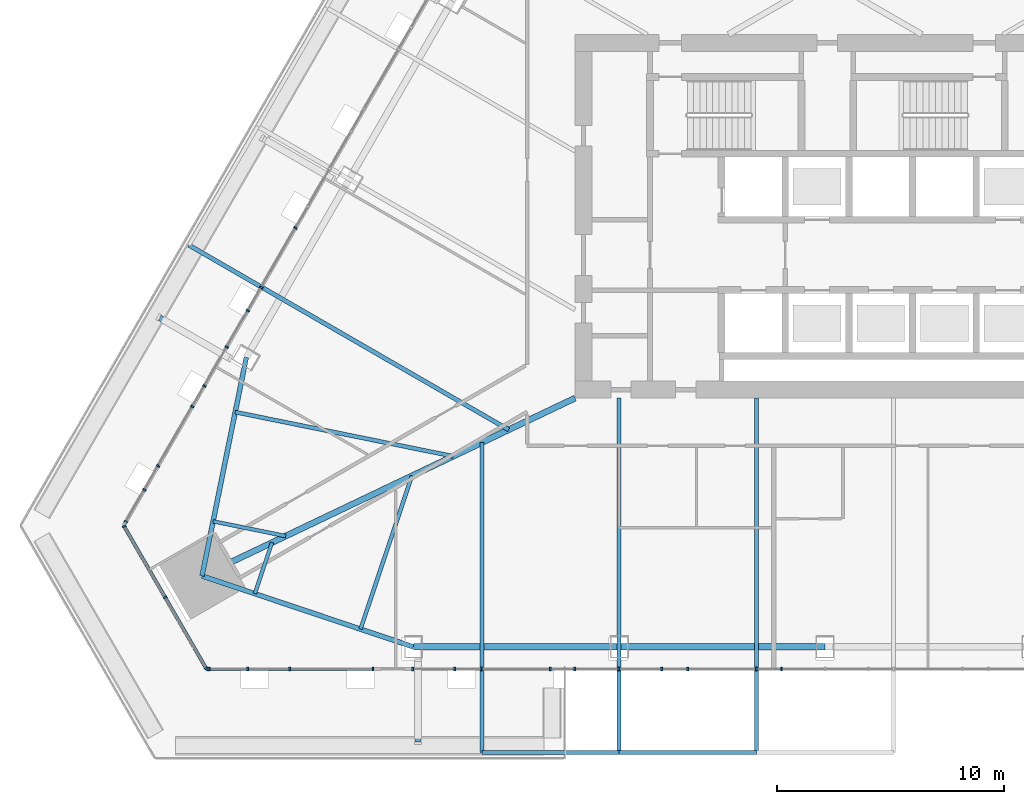
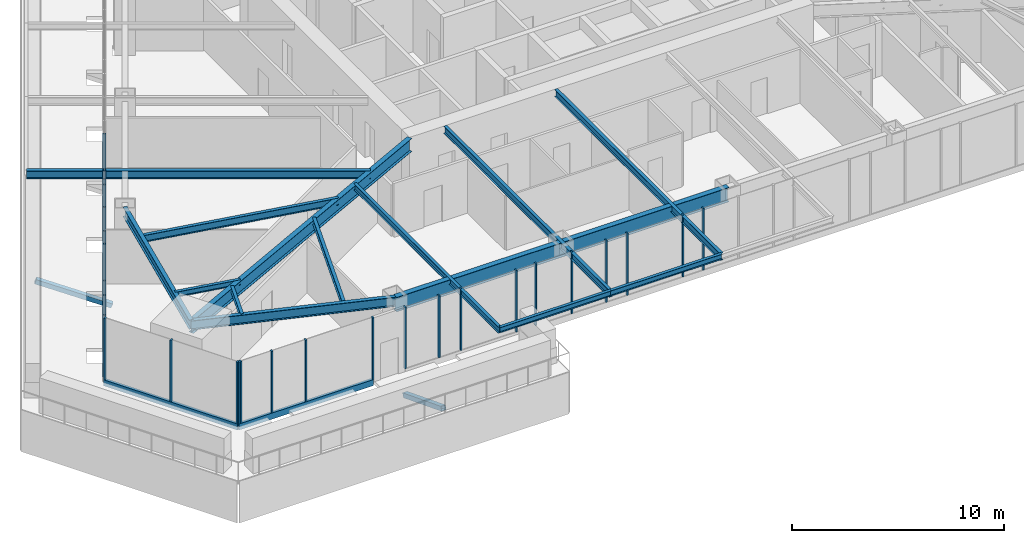
# One storey, part 2 of 35: 31 members, 14 beams, 3 elements without a shape of their own.
"""IFC4 building model written with IfcOpenShell, lengths in metres."""

from ifc_helpers import new_model, si_unit, direction, frame, origin, origin_2d, place, context, subcontext, project, spatial, rectangle, hollow_rectangle, i_section, extrude, material, layer, layer_set, material_profile, profile_set, type_object, element, aggregate, save


model = new_model("IFC4")

# Units and contexts
model_context = context("Model", 3, precision=1e-05, world=origin(), true_north=direction((0.0, 1.0)))
body_context = subcontext(model_context, "Body", "Model", "MODEL_VIEW")
ifc_project = project(units=[si_unit("LENGTHUNIT", "METRE"), si_unit("AREAUNIT", "SQUARE_METRE"), si_unit("VOLUMEUNIT", "CUBIC_METRE"), si_unit("PLANEANGLEUNIT", "RADIAN"), si_unit("MASSUNIT", "GRAM", prefix="KILO")], contexts=[model_context])

# Site, building, storey
site_placement = place(None, origin())
site = spatial("IfcSite", under=ifc_project, at=site_placement, CompositionType="ELEMENT")
building_placement = place(site_placement, origin())
building = spatial("IfcBuilding", under=site, at=building_placement, Name="Firuza Gate Tower and Library", CompositionType="ELEMENT")
storey_placement = place(building_placement, frame((0.0, 0.0, 159.699951171875)))
storey = spatial("IfcBuildingStorey", under=building, at=storey_placement, Name="L36", CompositionType="ELEMENT", Elevation=159.699951171875)

# Curtain wall, members
ifc_material_1 = material(Name="Aluminium 6063-T6", Category="aluminium")
ifc_layer_1 = layer(ifc_material_1, 0.14990234375)
ifc_layer_set_1 = layer_set([ifc_layer_1], Name="Unitised curtain wall, hotel")
curtain_wall_type_1 = type_object("IfcCurtainWallType", Name="Unitised curtain wall, hotel", PredefinedType="NOTDEFINED", material=ifc_layer_set_1)
placement = place(storey_placement, origin())
curtain_wall_1 = element("IfcCurtainWall", 1, at=placement, inside=storey, type_object=curtain_wall_type_1, Name="CW2 L36 S face", PredefinedType="NOTDEFINED")
ifc_material_2 = material(Name="Aluminium 6063-T6", Category="aluminium")
ifc_material_profile_1 = material_profile(ifc_material_2, rectangle(XDim=0.14990234375, YDim=0.080078125, at=origin_2d()))
ifc_profile_set_1 = profile_set([ifc_material_profile_1], Name="Aluminium 6063-T6")
member_type_1 = type_object("IfcMemberType", Name="Curtain wall mullion 80x150", PredefinedType="MULLION", material=ifc_profile_set_1)
member_1_placement = place(storey_placement, frame((47.834716796875, 55.086181640625, 0.150146484375), z_axis=(0.0, 0.0, 1.0), x_axis=(0.0, 1.0, 0.0)))
member_1 = element("IfcMember", 2, at=member_1_placement, type_object=member_type_1, Name="Mullion", PredefinedType="MULLION", context=body_context, shape_type="SweptSolid", body=[
    extrude(rectangle(XDim=0.14990234375, YDim=0.080078125, at=origin_2d()), origin(), (0.0, 0.0, 1.0), 3.5498046875),
])
member_2_placement = place(storey_placement, frame((51.454833984375, 55.086181640625, 0.150146484375), z_axis=(0.0, 0.0, 1.0), x_axis=(0.0, 1.0, 0.0)))
member_2 = element("IfcMember", 3, at=member_2_placement, type_object=member_type_1, Name="Mullion", PredefinedType="MULLION", context=body_context, shape_type="SweptSolid", body=[
    extrude(rectangle(XDim=0.14990234375, YDim=0.080078125, at=origin_2d()), origin(), (0.0, 0.0, 1.0), 3.5498046875),
])
member_3_placement = place(storey_placement, frame((55.11474609375, 55.086181640625, 0.150146484375), z_axis=(0.0, 0.0, 1.0), x_axis=(0.0, 1.0, 0.0)))
member_3 = element("IfcMember", 4, at=member_3_placement, type_object=member_type_1, Name="Mullion", PredefinedType="MULLION", context=body_context, shape_type="SweptSolid", body=[
    extrude(rectangle(XDim=0.14990234375, YDim=0.080078125, at=origin_2d()), origin(), (0.0, 0.0, 1.0), 3.5498046875),
])
member_4_placement = place(storey_placement, frame((56.86328125, 55.086181640625, 0.150146484375), z_axis=(0.0, 0.0, 1.0), x_axis=(0.0, 1.0, 0.0)))
member_4 = element("IfcMember", 5, at=member_4_placement, type_object=member_type_1, Name="Mullion", PredefinedType="MULLION", context=body_context, shape_type="SweptSolid", body=[
    extrude(rectangle(XDim=0.14990234375, YDim=0.080078125, at=origin_2d()), origin(), (0.0, 0.0, 1.0), 3.5498046875),
])
member_5_placement = place(storey_placement, frame((59.885986328125, 55.086181640625, 0.150146484375), z_axis=(0.0, 0.0, 1.0), x_axis=(0.0, 1.0, 0.0)))
member_5 = element("IfcMember", 6, at=member_5_placement, type_object=member_type_1, Name="Mullion", PredefinedType="MULLION", context=body_context, shape_type="SweptSolid", body=[
    extrude(rectangle(XDim=0.14990234375, YDim=0.080078125, at=origin_2d()), origin(), (0.0, 0.0, 1.0), 3.5498046875),
])
member_6_placement = place(storey_placement, frame((62.90869140625, 55.086181640625, 0.150146484375), z_axis=(0.0, 0.0, 1.0), x_axis=(0.0, 1.0, 0.0)))
member_6 = element("IfcMember", 7, at=member_6_placement, type_object=member_type_1, Name="Mullion", PredefinedType="MULLION", context=body_context, shape_type="SweptSolid", body=[
    extrude(rectangle(XDim=0.14990234375, YDim=0.080078125, at=origin_2d()), origin(), (0.0, 0.0, 1.0), 3.5498046875),
])
member_7_placement = place(storey_placement, frame((65.931640625, 55.086181640625, 0.150146484375), z_axis=(0.0, 0.0, 1.0), x_axis=(0.0, 1.0, 0.0)))
member_7 = element("IfcMember", 8, at=member_7_placement, type_object=member_type_1, Name="Mullion", PredefinedType="MULLION", context=body_context, shape_type="SweptSolid", body=[
    extrude(rectangle(XDim=0.14990234375, YDim=0.080078125, at=origin_2d()), origin(), (0.0, 0.0, 1.0), 3.5498046875),
])
member_8_placement = place(storey_placement, frame((68.954345703125, 55.086181640625, 0.150146484375), z_axis=(0.0, 0.0, 1.0), x_axis=(0.0, 1.0, 0.0)))
member_8 = element("IfcMember", 9, at=member_8_placement, type_object=member_type_1, Name="Mullion", PredefinedType="MULLION", context=body_context, shape_type="SweptSolid", body=[
    extrude(rectangle(XDim=0.14990234375, YDim=0.080078125, at=origin_2d()), origin(), (0.0, 0.0, 1.0), 3.5498046875),
])
member_9_placement = place(storey_placement, frame((71.977294921875, 55.086181640625, 0.150146484375), z_axis=(0.0, 0.0, 1.0), x_axis=(0.0, 1.0, 0.0)))
member_9 = element("IfcMember", 10, at=member_9_placement, type_object=member_type_1, Name="Mullion", PredefinedType="MULLION", context=body_context, shape_type="SweptSolid", body=[
    extrude(rectangle(XDim=0.14990234375, YDim=0.080078125, at=origin_2d()), origin(), (0.0, 0.0, 1.0), 3.5498046875),
])
member_10_placement = place(storey_placement, frame((47.9228515625, 55.086181640625, 0.150146484375), z_axis=(0.0, 0.0, 1.0), x_axis=(0.0, 1.0, 0.0)))
member_10 = element("IfcMember", 11, at=member_10_placement, type_object=member_type_1, Name="Mullion", PredefinedType="MULLION", context=body_context, shape_type="SweptSolid", body=[
    extrude(rectangle(XDim=0.14990234375, YDim=0.080078125, at=origin_2d()), origin(), (0.0, 0.0, 1.0), 3.5498046875),
])
member_11_placement = place(storey_placement, frame((49.6123046875, 55.086181640625, 0.150146484375), z_axis=(0.0, 0.0, 1.0), x_axis=(0.0, 1.0, 0.0)))
member_11 = element("IfcMember", 12, at=member_11_placement, type_object=member_type_1, Name="Mullion", PredefinedType="MULLION", context=body_context, shape_type="SweptSolid", body=[
    extrude(rectangle(XDim=0.14990234375, YDim=0.080078125, at=origin_2d()), origin(), (0.0, 0.0, 1.0), 3.5498046875),
])
member_12_placement = place(storey_placement, frame((58.71240234375, 55.086181640625, 0.150146484375), z_axis=(0.0, 0.0, 1.0), x_axis=(0.0, 1.0, 0.0)))
member_12 = element("IfcMember", 13, at=member_12_placement, type_object=member_type_1, Name="Mullion", PredefinedType="MULLION", context=body_context, shape_type="SweptSolid", body=[
    extrude(rectangle(XDim=0.14990234375, YDim=0.080078125, at=origin_2d()), origin(), (0.0, 0.0, 1.0), 3.5498046875),
])
member_13_placement = place(storey_placement, frame((63.98779296875, 55.086181640625, 0.150146484375), z_axis=(0.0, 0.0, 1.0), x_axis=(0.0, 1.0, 0.0)))
member_13 = element("IfcMember", 14, at=member_13_placement, type_object=member_type_1, Name="Mullion", PredefinedType="MULLION", context=body_context, shape_type="SweptSolid", body=[
    extrude(rectangle(XDim=0.14990234375, YDim=0.080078125, at=origin_2d()), origin(), (0.0, 0.0, 1.0), 3.5498046875),
])
member_14_placement = place(storey_placement, frame((67.812255859375, 55.086181640625, 0.150146484375), z_axis=(0.0, 0.0, 1.0), x_axis=(0.0, 1.0, 0.0)))
member_14 = element("IfcMember", 15, at=member_14_placement, type_object=member_type_1, Name="Mullion", PredefinedType="MULLION", context=body_context, shape_type="SweptSolid", body=[
    extrude(rectangle(XDim=0.14990234375, YDim=0.080078125, at=origin_2d()), origin(), (0.0, 0.0, 1.0), 3.5498046875),
])
member_15_placement = place(storey_placement, frame((73.087646484375, 55.086181640625, 0.150146484375), z_axis=(0.0, 0.0, 1.0), x_axis=(0.0, 1.0, 0.0)))
member_15 = element("IfcMember", 16, at=member_15_placement, type_object=member_type_1, Name="Mullion", PredefinedType="MULLION", context=body_context, shape_type="SweptSolid", body=[
    extrude(rectangle(XDim=0.14990234375, YDim=0.080078125, at=origin_2d()), origin(), (0.0, 0.0, 1.0), 3.5498046875),
])

curtain_wall_2 = element("IfcCurtainWall", 17, at=placement, inside=storey, type_object=curtain_wall_type_1, Name="CW2 L36 W face", PredefinedType="NOTDEFINED")
member_16_placement = place(storey_placement, frame((51.70849609375, 74.485595703125, 0.150146484375), z_axis=(0.0, 0.0, 1.0), x_axis=(0.866025403784, -0.5, 0.0)))
member_16 = element("IfcMember", 18, at=member_16_placement, type_object=member_type_1, Name="Mullion", PredefinedType="MULLION", context=body_context, shape_type="SweptSolid", body=[
    extrude(rectangle(XDim=0.14990234375, YDim=0.080078125, at=origin_2d()), origin(), (0.0, 0.0, 1.0), 3.5498046875),
])
member_17_placement = place(storey_placement, frame((50.197021484375, 71.867919921875, 0.150146484375), z_axis=(0.0, 0.0, 1.0), x_axis=(0.866025403784, -0.5, 0.0)))
member_17 = element("IfcMember", 19, at=member_17_placement, type_object=member_type_1, Name="Mullion", PredefinedType="MULLION", context=body_context, shape_type="SweptSolid", body=[
    extrude(rectangle(XDim=0.14990234375, YDim=0.080078125, at=origin_2d()), origin(), (0.0, 0.0, 1.0), 3.5498046875),
])
member_18_placement = place(storey_placement, frame((48.685791015625, 69.25, 0.150146484375), z_axis=(0.0, 0.0, 1.0), x_axis=(0.866025403784, -0.5, 0.0)))
member_18 = element("IfcMember", 20, at=member_18_placement, type_object=member_type_1, Name="Mullion", PredefinedType="MULLION", context=body_context, shape_type="SweptSolid", body=[
    extrude(rectangle(XDim=0.14990234375, YDim=0.080078125, at=origin_2d()), origin(), (0.0, 0.0, 1.0), 3.5498046875),
])
member_19_placement = place(storey_placement, frame((47.17431640625, 66.632080078125, 0.150146484375), z_axis=(0.0, 0.0, 1.0), x_axis=(0.866025403784, -0.5, 0.0)))
member_19 = element("IfcMember", 21, at=member_19_placement, type_object=member_type_1, Name="Mullion", PredefinedType="MULLION", context=body_context, shape_type="SweptSolid", body=[
    extrude(rectangle(XDim=0.14990234375, YDim=0.080078125, at=origin_2d()), origin(), (0.0, 0.0, 1.0), 3.5498046875),
])
member_20_placement = place(storey_placement, frame((45.662841796875, 64.014404296875, 0.150146484375), z_axis=(0.0, 0.0, 1.0), x_axis=(0.866025403784, -0.5, 0.0)))
member_20 = element("IfcMember", 22, at=member_20_placement, type_object=member_type_1, Name="Mullion", PredefinedType="MULLION", context=body_context, shape_type="SweptSolid", body=[
    extrude(rectangle(XDim=0.14990234375, YDim=0.080078125, at=origin_2d()), origin(), (0.0, 0.0, 1.0), 3.5498046875),
])
member_21_placement = place(storey_placement, frame((49.6103515625, 70.851318359375, 0.150146484375), z_axis=(0.0, 0.0, 1.0), x_axis=(0.866025403784, -0.5, 0.0)))
member_21 = element("IfcMember", 23, at=member_21_placement, type_object=member_type_1, Name="Mullion", PredefinedType="MULLION", context=body_context, shape_type="SweptSolid", body=[
    extrude(rectangle(XDim=0.14990234375, YDim=0.080078125, at=origin_2d()), origin(), (0.0, 0.0, 1.0), 3.5498046875),
])
member_22_placement = place(storey_placement, frame((47.697998046875, 67.5390625, 0.150146484375), z_axis=(0.0, 0.0, 1.0), x_axis=(0.866025403784, -0.5, 0.0)))
member_22 = element("IfcMember", 24, at=member_22_placement, type_object=member_type_1, Name="Mullion", PredefinedType="MULLION", context=body_context, shape_type="SweptSolid", body=[
    extrude(rectangle(XDim=0.14990234375, YDim=0.080078125, at=origin_2d()), origin(), (0.0, 0.0, 1.0), 3.5498046875),
])
member_23_placement = place(storey_placement, frame((45.060302734375, 62.970458984375, 0.150146484375), z_axis=(0.0, 0.0, 1.0), x_axis=(0.866025403784, -0.5, 0.0)))
member_23 = element("IfcMember", 25, at=member_23_placement, type_object=member_type_1, Name="Mullion", PredefinedType="MULLION", context=body_context, shape_type="SweptSolid", body=[
    extrude(rectangle(XDim=0.14990234375, YDim=0.080078125, at=origin_2d()), origin(), (0.0, 0.0, 1.0), 3.5498046875),
])
member_24_placement = place(storey_placement, frame((44.248046875, 61.563720703125, 0.150146484375), z_axis=(0.0, 0.0, 1.0), x_axis=(0.866025403784, -0.5, 0.0)))
member_24 = element("IfcMember", 26, at=member_24_placement, type_object=member_type_1, Name="Mullion", PredefinedType="MULLION", context=body_context, shape_type="SweptSolid", body=[
    extrude(rectangle(XDim=0.14990234375, YDim=0.080078125, at=origin_2d()), origin(), (0.0, 0.0, 1.0), 3.5498046875),
])
aggregate(curtain_wall_2, [member_16, member_17, member_18, member_19, member_20, member_21, member_22, member_23, member_24])

ifc_material_3 = material(Name="Aluminium 6063-T6", Category="aluminium")
ifc_layer_2 = layer(ifc_material_3, 0.14990234375)
ifc_layer_set_2 = layer_set([ifc_layer_2], Name="Corner curtain wall, chamfers")
curtain_wall_type_2 = type_object("IfcCurtainWallType", Name="Corner curtain wall, chamfers", PredefinedType="NOTDEFINED", material=ifc_layer_set_2)
curtain_wall_3 = element("IfcCurtainWall", 27, at=placement, inside=storey, type_object=curtain_wall_type_2, Name="CW4 L36 SW corner", PredefinedType="NOTDEFINED")
member_25_placement = place(storey_placement, frame((44.17138671875, 61.36181640625, 0.150146484375), z_axis=(0.0, 0.0, 1.0), x_axis=(0.866025403784, 0.5, 0.0)))
member_25 = element("IfcMember", 28, at=member_25_placement, type_object=member_type_1, Name="Mullion", PredefinedType="MULLION", context=body_context, shape_type="SweptSolid", body=[
    extrude(rectangle(XDim=0.14990234375, YDim=0.080078125, at=origin_2d()), origin(), (0.0, 0.0, 1.0), 3.5498046875),
])
member_26_placement = place(storey_placement, frame((45.97314453125, 58.2412109375, 0.150146484375), z_axis=(0.0, 0.0, 1.0), x_axis=(0.866025403784, 0.5, 0.0)))
member_26 = element("IfcMember", 29, at=member_26_placement, type_object=member_type_1, Name="Mullion", PredefinedType="MULLION", context=body_context, shape_type="SweptSolid", body=[
    extrude(rectangle(XDim=0.14990234375, YDim=0.080078125, at=origin_2d()), origin(), (0.0, 0.0, 1.0), 3.5498046875),
])
member_27_placement = place(storey_placement, frame((47.774658203125, 55.120849609375, 0.150146484375), z_axis=(0.0, 0.0, 1.0), x_axis=(0.866025403784, 0.5, 0.0)))
member_27 = element("IfcMember", 30, at=member_27_placement, type_object=member_type_1, Name="Mullion", PredefinedType="MULLION", context=body_context, shape_type="SweptSolid", body=[
    extrude(rectangle(XDim=0.14990234375, YDim=0.080078125, at=origin_2d()), origin(), (0.0, 0.0, 1.0), 3.5498046875),
])

# Member
ifc_material_4 = material(Name="Aluminium 6063-T6", Category="aluminium")
ifc_material_profile_2 = material_profile(ifc_material_4, rectangle(XDim=0.14990234375, YDim=0.35009765625, at=origin_2d()))
ifc_profile_set_2 = profile_set([ifc_material_profile_2], Name="Aluminium 6063-T6")
member_type_2 = type_object("IfcMemberType", Name="Curtain wall transom 350x150", PredefinedType="USERDEFINED", material=ifc_profile_set_2)
member_28_placement = place(storey_placement, frame((47.794677734375, 55.086181640625, -0.02490234375), z_axis=(1.0, 0.0, 0.0), x_axis=(0.0, 1.0, 0.0)))
member_28 = element("IfcMember", 31, at=member_28_placement, type_object=member_type_2, Name="Transom", ObjectType="TRANSOM", PredefinedType="USERDEFINED", context=body_context, shape_type="SweptSolid", body=[
    extrude(rectangle(XDim=0.14990234375, YDim=0.35009765625, at=origin_2d()), origin(), (0.0, 0.0, 1.0), 7.320068359375),
])

aggregate(curtain_wall_1, [member_1, member_2, member_3, member_4, member_5, member_6, member_7, member_8, member_9, member_28, member_10, member_11, member_12, member_13, member_14, member_15])

member_29_placement = place(storey_placement, frame((44.1513671875, 61.396484375, -0.02490234375), z_axis=(0.500005719219, -0.866022101766, 0.0), x_axis=(0.866022101766, 0.500005719219, 0.0)))
member_29 = element("IfcMember", 32, at=member_29_placement, type_object=member_type_2, Name="Transom", ObjectType="TRANSOM", PredefinedType="USERDEFINED", context=body_context, shape_type="SweptSolid", body=[
    extrude(rectangle(XDim=0.14990234375, YDim=0.35009765625, at=origin_2d()), origin(), (0.0, 0.0, 1.0), 7.28662109375),
])

aggregate(curtain_wall_3, [member_25, member_26, member_27, member_29])

# Members
ifc_material_5 = material(Name="Steel S355", Category="steel")
ifc_material_profile_3 = material_profile(ifc_material_5, hollow_rectangle(XDim=0.25390625, YDim=0.25390625, WallThickness=0.01171875, at=origin_2d()))
ifc_profile_set_3 = profile_set([ifc_material_profile_3], Name="Steel S355")
member_type_3 = type_object("IfcMemberType", Name="HSS254x254x13 Tray strut", PredefinedType="BRACE", material=ifc_profile_set_3)
member_30_placement = place(storey_placement, frame((57.10009765625, 55.446533203125, -1.669921875), z_axis=(0.0, -0.932016532514, 0.362415760032), x_axis=(1.0, 0.0, 0.0)))
element("IfcMember", 33, at=member_30_placement, inside=storey, type_object=member_type_3, Name="Tray strut L36 col:L35:S1", PredefinedType="BRACE", context=body_context, shape_type="SweptSolid", body=[
    extrude(hollow_rectangle(XDim=0.25390625, YDim=0.25390625, WallThickness=0.01171875, at=origin_2d()), origin(), (0.0, 0.0, 1.0), 3.86279296875),
])
member_31_placement = place(storey_placement, frame((48.816162109375, 68.75537109375, -1.669921875), z_axis=(-0.807140949077, 0.466018027999, 0.362423351763), x_axis=(-0.500012057535, -0.866018442252, 0.0)))
element("IfcMember", 34, at=member_31_placement, inside=storey, type_object=member_type_3, Name="Tray strut L36 col:L35:W5", PredefinedType="BRACE", context=body_context, shape_type="SweptSolid", body=[
    extrude(hollow_rectangle(XDim=0.25390625, YDim=0.25390625, WallThickness=0.01171875, at=origin_2d()), origin(), (0.0, 0.0, 1.0), 3.862548828125),
])

# Beams
ifc_material_6 = material(Name="Steel S355", Category="steel")
ifc_material_profile_4 = material_profile(ifc_material_6, i_section(OverallWidth=0.1650390625, OverallDepth=0.31005859375, WebThickness=0.005859375, FlangeThickness=0.009765625, at=origin_2d()))
ifc_profile_set_4 = profile_set([ifc_material_profile_4], Name="Steel S355")
beam_type_1 = type_object("IfcBeamType", Name="W310x39 Floor beam", PredefinedType="JOIST", material=ifc_profile_set_4)
beam_1_placement = place(storey_placement, frame((48.083740234375, 61.5810546875, 3.545166015625), z_axis=(0.98006147131, -0.198694520443, 0.0), x_axis=(0.198694520443, 0.98006147131, 0.0)))
element("IfcBeam", 35, at=beam_1_placement, inside=storey, type_object=beam_type_1, Name="Floor beam L36 s01", PredefinedType="JOIST", context=body_context, shape_type="SweptSolid", body=[
    extrude(i_section(OverallWidth=0.1650390625, OverallDepth=0.31005859375, WebThickness=0.005859375, FlangeThickness=0.009765625, at=origin_2d()), origin(), (0.0, 0.0, 1.0), 3.258544921875),
])
beam_2_placement = place(storey_placement, frame((49.920654296875, 58.3994140625, 3.545166015625), z_axis=(0.318019732569, 0.948084094212, 0.0), x_axis=(-0.948084094212, 0.318019732569, 0.0)))
element("IfcBeam", 36, at=beam_2_placement, inside=storey, type_object=beam_type_1, Name="Floor beam L36 s10", PredefinedType="JOIST", context=body_context, shape_type="SweptSolid", body=[
    extrude(i_section(OverallWidth=0.1650390625, OverallDepth=0.31005859375, WebThickness=0.005859375, FlangeThickness=0.009765625, at=origin_2d()), origin(), (0.0, 0.0, 1.0), 2.369873046875),
])
for number, where, z_axis, x_axis, name in (
    (37, (59.91015625, 51.4111328125, 3.545166015625), (1.0, 0.0, 0.0), (0.0, 1.0, 0.0), "Tray edge beam L36 s20-s21"),
    (38, (65.946044921875, 51.4111328125, 3.545166015625), (1.0, 0.0, 0.0), (0.0, 1.0, 0.0), "Tray edge beam L36 s21-s22"),
):
    element("IfcBeam", number, at=place(storey_placement, frame(where, z_axis=z_axis, x_axis=x_axis)), inside=storey, type_object=beam_type_1, Name=name, PredefinedType="JOIST", context=body_context, shape_type="SweptSolid", body=[
        extrude(i_section(OverallWidth=0.1650390625, OverallDepth=0.31005859375, WebThickness=0.005859375, FlangeThickness=0.009765625, at=origin_2d()), origin(), (0.0, 0.0, 1.0), 6.035888671875),
    ])
ifc_material_7 = material(Name="Steel S355", Category="steel")
ifc_material_profile_5 = material_profile(ifc_material_7, i_section(OverallWidth=0.1708984375, OverallDepth=0.35498046875, WebThickness=0.007080078125, FlangeThickness=0.01171875, at=origin_2d()))
ifc_profile_set_5 = profile_set([ifc_material_profile_5], Name="Steel S355")
beam_type_2 = type_object("IfcBeamType", Name="W360x51 Floor beam", PredefinedType="JOIST", material=ifc_profile_set_5)
beam_3_placement = place(storey_placement, frame((54.568359375, 56.840576171875, 3.5224609375), z_axis=(0.31799921866, 0.948090975029, 0.0), x_axis=(-0.948090975029, 0.31799921866, 0.0)))
element("IfcBeam", 39, at=beam_3_placement, inside=storey, type_object=beam_type_2, Name="Floor beam L36 s11", PredefinedType="JOIST", context=body_context, shape_type="SweptSolid", body=[
    extrude(i_section(OverallWidth=0.1708984375, OverallDepth=0.35498046875, WebThickness=0.007080078125, FlangeThickness=0.01171875, at=origin_2d()), origin(), (0.0, 0.0, 1.0), 7.109375),
])
beam_4_placement = place(storey_placement, frame((59.91015625, 51.4111328125, 3.5224609375), z_axis=(0.0, 1.0, 0.0), x_axis=(-1.0, 0.0, 0.0)))
element("IfcBeam", 40, at=beam_4_placement, inside=storey, type_object=beam_type_2, Name="Floor beam L36 s20", PredefinedType="JOIST", context=body_context, shape_type="SweptSolid", body=[
    extrude(i_section(OverallWidth=0.1708984375, OverallDepth=0.35498046875, WebThickness=0.007080078125, FlangeThickness=0.01171875, at=origin_2d()), origin(), (0.0, 0.0, 1.0), 13.638671875),
])
ifc_material_8 = material(Name="Steel S355", Category="steel")
ifc_material_profile_6 = material_profile(ifc_material_8, i_section(OverallWidth=0.177978515625, OverallDepth=0.406982421875, WebThickness=0.0078125, FlangeThickness=0.0126953125, at=origin_2d()))
ifc_profile_set_6 = profile_set([ifc_material_profile_6], Name="Steel S355")
beam_type_3 = type_object("IfcBeamType", Name="W410x60 Floor beam", PredefinedType="JOIST", material=ifc_profile_set_6)
beam_5_placement = place(storey_placement, frame((49.0576171875, 66.38525390625, 3.49658203125), z_axis=(0.980070211277, -0.19865140565, 0.0), x_axis=(0.19865140565, 0.980070211277, 0.0)))
element("IfcBeam", 41, at=beam_5_placement, inside=storey, type_object=beam_type_3, Name="Floor beam L36 s00", PredefinedType="JOIST", context=body_context, shape_type="SweptSolid", body=[
    extrude(i_section(OverallWidth=0.177978515625, OverallDepth=0.406982421875, WebThickness=0.0078125, FlangeThickness=0.0126953125, at=origin_2d()), origin(), (0.0, 0.0, 1.0), 9.775390625),
])
for number, where, z_axis, x_axis, name in (
    (42, (65.946044921875, 51.4111328125, 3.49658203125), (0.0, 1.0, 0.0), (-1.0, 0.0, 0.0), "Floor beam L36 s21"),
    (43, (71.98193359375, 51.4111328125, 3.49658203125), (0.0, 1.0, 0.0), (-1.0, 0.0, 0.0), "Floor beam L36 s22"),
):
    element("IfcBeam", number, at=place(storey_placement, frame(where, z_axis=z_axis, x_axis=x_axis)), inside=storey, type_object=beam_type_3, Name=name, PredefinedType="JOIST", context=body_context, shape_type="SweptSolid", body=[
        extrude(i_section(OverallWidth=0.177978515625, OverallDepth=0.406982421875, WebThickness=0.0078125, FlangeThickness=0.0126953125, at=origin_2d()), origin(), (0.0, 0.0, 1.0), 15.5888671875),
    ])
ifc_material_9 = material(Name="Steel S355", Category="steel")
ifc_material_profile_7 = material_profile(ifc_material_9, i_section(OverallWidth=0.18994140625, OverallDepth=0.45703125, WebThickness=0.009033203125, FlangeThickness=0.014404296875, at=origin_2d()))
ifc_profile_set_7 = profile_set([ifc_material_profile_7], Name="Steel S355")
beam_type_4 = type_object("IfcBeamType", Name="W460x74 Floor beam", PredefinedType="JOIST", material=ifc_profile_set_7)
beam_6_placement = place(storey_placement, frame((47.0263671875, 73.72607421875, 3.471435546875), z_axis=(0.866031806806, -0.499988909476, 0.0), x_axis=(0.499988909476, 0.866031806806, 0.0)))
element("IfcBeam", 44, at=beam_6_placement, inside=storey, type_object=beam_type_4, Name="Floor beam L36 s85", PredefinedType="JOIST", context=body_context, shape_type="SweptSolid", body=[
    extrude(i_section(OverallWidth=0.18994140625, OverallDepth=0.45703125, WebThickness=0.009033203125, FlangeThickness=0.014404296875, at=origin_2d()), origin(), (0.0, 0.0, 1.0), 16.232666015625),
])
ifc_material_10 = material(Name="Steel S355", Category="steel")
ifc_material_profile_8 = material_profile(ifc_material_10, i_section(OverallWidth=0.212890625, OverallDepth=0.5390625, WebThickness=0.01171875, FlangeThickness=0.018798828125, at=origin_2d()))
ifc_profile_set_8 = profile_set([ifc_material_profile_8], Name="Steel S355")
beam_type_5 = type_object("IfcBeamType", Name="W530x109 Edge beam", PredefinedType="SPANDREL", material=ifc_profile_set_8)
for number, where, z_axis, x_axis, name in (
    (45, (49.54443359375, 68.78759765625, 3.4306640625), (-0.198639155486, -0.980072694196, 0.0), (0.980072694196, -0.198639155486, 0.0), "Edge beam L36 e00"),
    (46, (47.596923828125, 59.1787109375, 3.4306640625), (0.94809146996, -0.317997743056, 0.0), (0.317997743056, 0.94809146996, 0.0), "Edge beam L36 e10"),
):
    element("IfcBeam", number, at=place(storey_placement, frame(where, z_axis=z_axis, x_axis=x_axis)), inside=storey, type_object=beam_type_5, Name=name, PredefinedType="SPANDREL", context=body_context, shape_type="SweptSolid", body=[
        extrude(i_section(OverallWidth=0.212890625, OverallDepth=0.5390625, WebThickness=0.01171875, FlangeThickness=0.018798828125, at=origin_2d()), origin(), (0.0, 0.0, 1.0), 9.80419921875),
    ])
ifc_material_11 = material(Name="Steel S355", Category="steel")
ifc_material_profile_9 = material_profile(ifc_material_11, i_section(OverallWidth=0.264892578125, OverallDepth=0.7529296875, WebThickness=0.01318359375, FlangeThickness=0.01708984375, at=origin_2d()))
ifc_profile_set_9 = profile_set([ifc_material_profile_9], Name="Steel S355")
beam_type_6 = type_object("IfcBeamType", Name="W760x147 Girder", PredefinedType="BEAM", material=ifc_profile_set_9)
beam_7_placement = place(storey_placement, frame((47.596923828125, 59.1787109375, 3.323486328125), z_axis=(0.902640378669, 0.430395570141, 0.0), x_axis=(-0.430395570141, 0.902640378669, 0.0)))
element("IfcBeam", 47, at=beam_7_placement, inside=storey, type_object=beam_type_6, Name="Girder L36 gSW", PredefinedType="BEAM", context=body_context, shape_type="SweptSolid", body=[
    extrude(i_section(OverallWidth=0.264892578125, OverallDepth=0.7529296875, WebThickness=0.01318359375, FlangeThickness=0.01708984375, at=origin_2d()), origin(), (0.0, 0.0, 1.0), 18.17236328125),
])
ifc_material_12 = material(Name="Steel S355", Category="steel")
ifc_material_profile_10 = material_profile(ifc_material_12, i_section(OverallWidth=0.2919921875, OverallDepth=0.8349609375, WebThickness=0.013916015625, FlangeThickness=0.018798828125, at=origin_2d()))
ifc_profile_set_10 = profile_set([ifc_material_profile_10], Name="Steel S355")
beam_type_7 = type_object("IfcBeamType", Name="W840x176 Edge beam", PredefinedType="SPANDREL", material=ifc_profile_set_10)
beam_8_placement = place(storey_placement, frame((56.89208984375, 56.06103515625, 3.282470703125), z_axis=(1.0, 0.0, 0.0), x_axis=(0.0, 1.0, 0.0)))
element("IfcBeam", 48, at=beam_8_placement, inside=storey, type_object=beam_type_7, Name="Edge beam L36 e20", PredefinedType="SPANDREL", context=body_context, shape_type="SweptSolid", body=[
    extrude(i_section(OverallWidth=0.2919921875, OverallDepth=0.8349609375, WebThickness=0.013916015625, FlangeThickness=0.018798828125, at=origin_2d()), origin(), (0.0, 0.0, 1.0), 18.10791015625),
])

save(model, "model.ifc")
